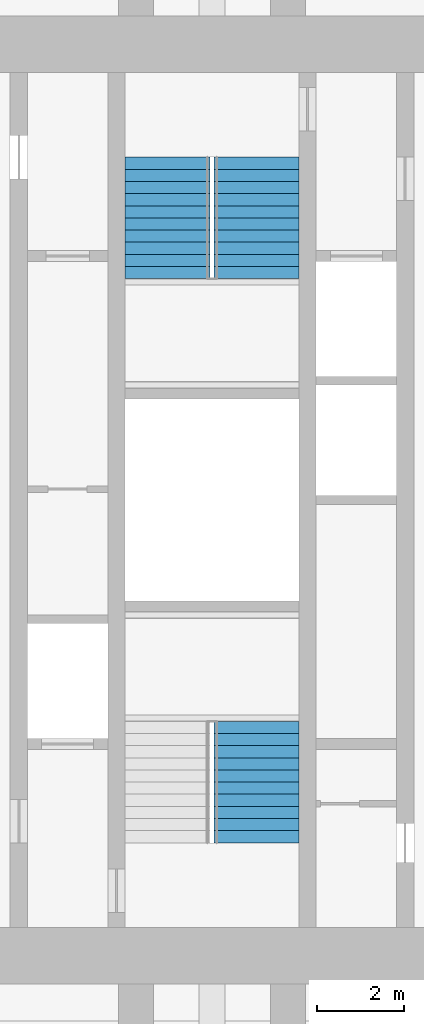
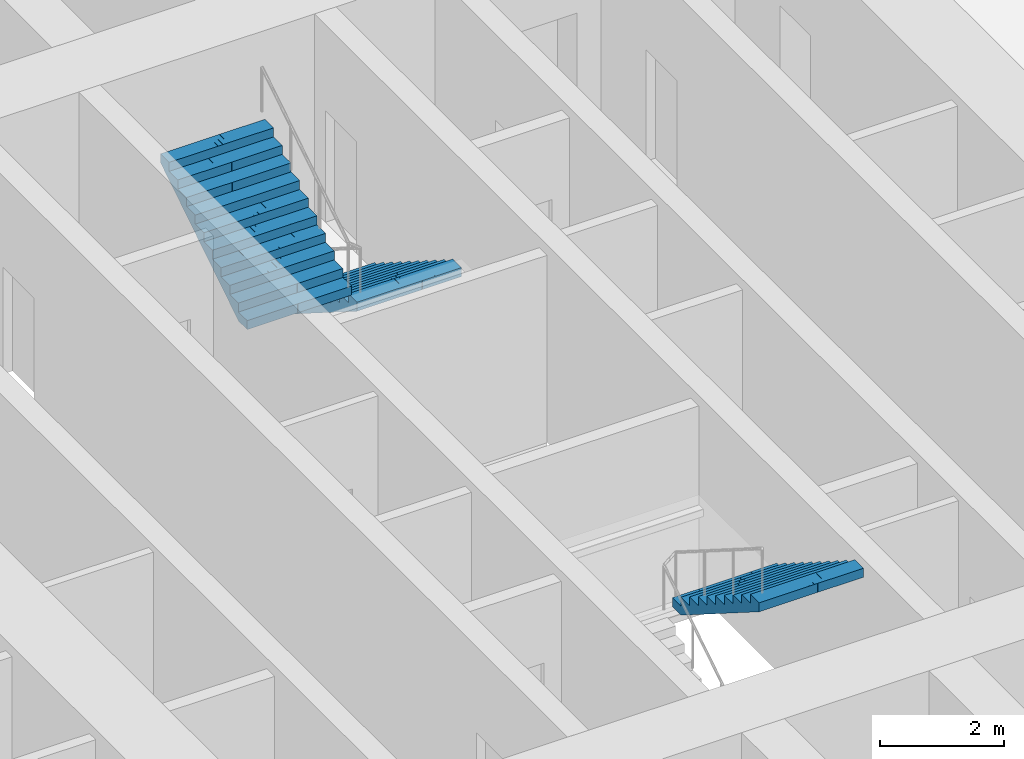
# One storey, part 16 of 17: 3 stair flights, 2 elements without a shape of their own.
"""IFC4 building model written with IfcOpenShell, lengths in metres."""

from ifc_helpers import new_model, si_unit, direction, frame, origin, place, context, subcontext, project, spatial, polyline, outline, extrude, material, type_object, element, aggregate, save


model = new_model("IFC4")

# Units and contexts
model_context = context("Model", 3, precision=1e-05, world=origin(), true_north=direction((0.0, 1.0)))
body_context = subcontext(model_context, "Body", "Model", "MODEL_VIEW")
ifc_project = project(units=[si_unit("LENGTHUNIT", "METRE"), si_unit("AREAUNIT", "SQUARE_METRE"), si_unit("VOLUMEUNIT", "CUBIC_METRE"), si_unit("PLANEANGLEUNIT", "RADIAN"), si_unit("MASSUNIT", "GRAM", prefix="KILO")], contexts=[model_context])

# Site, building, storey
site_placement = place(None, origin())
site = spatial("IfcSite", under=ifc_project, at=site_placement, CompositionType="ELEMENT")
building_placement = place(site_placement, origin())
building = spatial("IfcBuilding", under=site, at=building_placement, Name="Mizan Broadcast Tower", CompositionType="ELEMENT")
storey_placement = place(building_placement, frame((0.0, 0.0, 259.5)))
storey = spatial("IfcBuildingStorey", under=building, at=storey_placement, Name="L61", CompositionType="ELEMENT", Elevation=259.5)

# Stair, stair flight
ifc_material_1 = material(Name="Concrete C40/50", Category="concrete")
stair_type = type_object("IfcStairType", Name="EXIT STAIR", PredefinedType="HALF_TURN_STAIR", material=ifc_material_1)
stair_1_placement = place(storey_placement, origin())
stair_1 = element("IfcStair", 1, at=stair_1_placement, inside=storey, type_object=stair_type, Name="Stair A L61", PredefinedType="HALF_TURN_STAIR")
ifc_material_2 = material(Name="Concrete C40/50", Category="concrete")
stair_flight_type = type_object("IfcStairFlightType", Name="EXIT STAIR FLIGHT", PredefinedType="STRAIGHT", material=ifc_material_2)
stair_flight_1_placement = place(storey_placement, frame((1.02490234375, -5.10009765625, 1.949951171875), z_axis=(0.0, 0.0, 1.0), x_axis=(0.0, -1.0, 0.0)))
stair_flight_1 = element("IfcStairFlight", 2, at=stair_flight_1_placement, type_object=stair_flight_type, Name="A flight 2", NumberOfRisers=11, NumberOfTreads=10, PredefinedType="STRAIGHT", RiserHeight=0.177272727, TreadLength=0.28, context=body_context, shape_type="SweptSolid", body=[
    extrude(outline(polyline([(0.0, 0.0), (0.0, 0.17724609375), (0.280029296875, 0.17724609375), (0.280029296875, 0.3544921875), (0.56005859375, 0.3544921875), (0.56005859375, 0.53173828125), (0.840087890625, 0.53173828125), (0.840087890625, 0.708984375), (1.1201171875, 0.708984375), (1.1201171875, 0.886474609375), (1.39990234375, 0.886474609375), (1.39990234375, 1.063720703125), (1.679931640625, 1.063720703125), (1.679931640625, 1.240966796875), (1.9599609375, 1.240966796875), (1.9599609375, 1.418212890625), (2.239990234375, 1.418212890625), (2.239990234375, 1.595458984375), (2.52001953125, 1.595458984375), (2.52001953125, 1.772705078125), (2.800048828125, 1.772705078125), (2.800048828125, 1.949951171875), (2.800048828125, 1.59521484375), (0.2802734375, 0.0), (0.0, 0.0)])), frame((0.0, 0.97509765625, 0.0), z_axis=(0.0, -1.0, 0.0), x_axis=(1.0, 0.0, 0.0)), (0.0, 0.0, 1.0), 0.4873046875),
    extrude(outline(polyline([(0.0, 0.0), (0.0, 0.17724609375), (0.280029296875, 0.17724609375), (0.280029296875, 0.3544921875), (0.56005859375, 0.3544921875), (0.56005859375, 0.53173828125), (0.840087890625, 0.53173828125), (0.840087890625, 0.708984375), (1.1201171875, 0.708984375), (1.1201171875, 0.886474609375), (1.39990234375, 0.886474609375), (1.39990234375, 1.063720703125), (1.679931640625, 1.063720703125), (1.679931640625, 1.240966796875), (1.9599609375, 1.240966796875), (1.9599609375, 1.418212890625), (2.239990234375, 1.418212890625), (2.239990234375, 1.595458984375), (2.52001953125, 1.595458984375), (2.52001953125, 1.772705078125), (2.800048828125, 1.772705078125), (2.800048828125, 1.949951171875), (2.800048828125, 1.59521484375), (0.2802734375, 0.0), (0.0, 0.0)])), frame((0.0, 0.4873046875, 0.0), z_axis=(0.0, -1.0, 0.0), x_axis=(1.0, 0.0, 0.0)), (0.0, 0.0, 1.0), 0.2431640625),
    extrude(outline(polyline([(0.0, 0.0), (0.0, 0.17724609375), (0.280029296875, 0.17724609375), (0.280029296875, 0.3544921875), (0.56005859375, 0.3544921875), (0.56005859375, 0.53173828125), (0.840087890625, 0.53173828125), (0.840087890625, 0.708984375), (1.1201171875, 0.708984375), (1.1201171875, 0.886474609375), (1.39990234375, 0.886474609375), (1.39990234375, 1.063720703125), (1.679931640625, 1.063720703125), (1.679931640625, 1.240966796875), (1.9599609375, 1.240966796875), (1.9599609375, 1.418212890625), (2.239990234375, 1.418212890625), (2.239990234375, 1.595458984375), (2.52001953125, 1.595458984375), (2.52001953125, 1.772705078125), (2.800048828125, 1.772705078125), (2.800048828125, 1.949951171875), (2.800048828125, 1.59521484375), (0.2802734375, 0.0), (0.0, 0.0)])), frame((0.0, 0.24365234375, 0.0), z_axis=(0.0, -1.0, 0.0), x_axis=(1.0, 0.0, 0.0)), (0.0, 0.0, 1.0), 0.121337890625),
    extrude(outline(polyline([(0.0, 0.0), (0.0, 0.17724609375), (0.280029296875, 0.17724609375), (0.280029296875, 0.3544921875), (0.56005859375, 0.3544921875), (0.56005859375, 0.53173828125), (0.840087890625, 0.53173828125), (0.840087890625, 0.708984375), (1.1201171875, 0.708984375), (1.1201171875, 0.886474609375), (1.39990234375, 0.886474609375), (1.39990234375, 1.063720703125), (1.679931640625, 1.063720703125), (1.679931640625, 1.240966796875), (1.9599609375, 1.240966796875), (1.9599609375, 1.418212890625), (2.239990234375, 1.418212890625), (2.239990234375, 1.595458984375), (2.52001953125, 1.595458984375), (2.52001953125, 1.772705078125), (2.800048828125, 1.772705078125), (2.800048828125, 1.949951171875), (2.800048828125, 1.59521484375), (0.2802734375, 0.0), (0.0, 0.0)])), frame((0.0, 0.121826171875, 0.0), z_axis=(0.0, -1.0, 0.0), x_axis=(1.0, 0.0, 0.0)), (0.0, 0.0, 1.0), 0.060546875),
    extrude(outline(polyline([(0.0, 0.0), (0.0, 0.17724609375), (0.280029296875, 0.17724609375), (0.280029296875, 0.3544921875), (0.56005859375, 0.3544921875), (0.56005859375, 0.53173828125), (0.840087890625, 0.53173828125), (0.840087890625, 0.708984375), (1.1201171875, 0.708984375), (1.1201171875, 0.886474609375), (1.39990234375, 0.886474609375), (1.39990234375, 1.063720703125), (1.679931640625, 1.063720703125), (1.679931640625, 1.240966796875), (1.9599609375, 1.240966796875), (1.9599609375, 1.418212890625), (2.239990234375, 1.418212890625), (2.239990234375, 1.595458984375), (2.52001953125, 1.595458984375), (2.52001953125, 1.772705078125), (2.800048828125, 1.772705078125), (2.800048828125, 1.949951171875), (2.800048828125, 1.59521484375), (0.2802734375, 0.0), (0.0, 0.0)])), frame((0.0, 0.060791015625, 0.0), z_axis=(0.0, -1.0, 0.0), x_axis=(1.0, 0.0, 0.0)), (0.0, 0.0, 1.0), 0.030029296875),
    extrude(outline(polyline([(0.0, 0.0), (0.0, 0.17724609375), (0.280029296875, 0.17724609375), (0.280029296875, 0.3544921875), (0.56005859375, 0.3544921875), (0.56005859375, 0.53173828125), (0.840087890625, 0.53173828125), (0.840087890625, 0.708984375), (1.1201171875, 0.708984375), (1.1201171875, 0.886474609375), (1.39990234375, 0.886474609375), (1.39990234375, 1.063720703125), (1.679931640625, 1.063720703125), (1.679931640625, 1.240966796875), (1.9599609375, 1.240966796875), (1.9599609375, 1.418212890625), (2.239990234375, 1.418212890625), (2.239990234375, 1.595458984375), (2.52001953125, 1.595458984375), (2.52001953125, 1.772705078125), (2.800048828125, 1.772705078125), (2.800048828125, 1.949951171875), (2.800048828125, 1.59521484375), (0.2802734375, 0.0), (0.0, 0.0)])), frame((0.0, 0.0302734375, 0.0), z_axis=(0.0, -1.0, 0.0), x_axis=(1.0, 0.0, 0.0)), (0.0, 0.0, 1.0), 0.060302734375),
    extrude(outline(polyline([(0.0, 0.0), (0.0, 0.17724609375), (0.280029296875, 0.17724609375), (0.280029296875, 0.3544921875), (0.56005859375, 0.3544921875), (0.56005859375, 0.53173828125), (0.840087890625, 0.53173828125), (0.840087890625, 0.708984375), (1.1201171875, 0.708984375), (1.1201171875, 0.886474609375), (1.39990234375, 0.886474609375), (1.39990234375, 1.063720703125), (1.679931640625, 1.063720703125), (1.679931640625, 1.240966796875), (1.9599609375, 1.240966796875), (1.9599609375, 1.418212890625), (2.239990234375, 1.418212890625), (2.239990234375, 1.595458984375), (2.52001953125, 1.595458984375), (2.52001953125, 1.772705078125), (2.800048828125, 1.772705078125), (2.800048828125, 1.949951171875), (2.800048828125, 1.59521484375), (0.2802734375, 0.0), (0.0, 0.0)])), frame((0.0, -0.030517578125, 0.0), z_axis=(0.0, -1.0, 0.0), x_axis=(1.0, 0.0, 0.0)), (0.0, 0.0, 1.0), 0.030029296875),
    extrude(outline(polyline([(0.0, 0.0), (0.0, 0.17724609375), (0.280029296875, 0.17724609375), (0.280029296875, 0.3544921875), (0.56005859375, 0.3544921875), (0.56005859375, 0.53173828125), (0.840087890625, 0.53173828125), (0.840087890625, 0.708984375), (1.1201171875, 0.708984375), (1.1201171875, 0.886474609375), (1.39990234375, 0.886474609375), (1.39990234375, 1.063720703125), (1.679931640625, 1.063720703125), (1.679931640625, 1.240966796875), (1.9599609375, 1.240966796875), (1.9599609375, 1.418212890625), (2.239990234375, 1.418212890625), (2.239990234375, 1.595458984375), (2.52001953125, 1.595458984375), (2.52001953125, 1.772705078125), (2.800048828125, 1.772705078125), (2.800048828125, 1.949951171875), (2.800048828125, 1.59521484375), (0.2802734375, 0.0), (0.0, 0.0)])), frame((0.0, -0.06103515625, 0.0), z_axis=(0.0, -1.0, 0.0), x_axis=(1.0, 0.0, 0.0)), (0.0, 0.0, 1.0), 0.060546875),
    extrude(outline(polyline([(0.0, 0.0), (0.0, 0.17724609375), (0.280029296875, 0.17724609375), (0.280029296875, 0.3544921875), (0.56005859375, 0.3544921875), (0.56005859375, 0.53173828125), (0.840087890625, 0.53173828125), (0.840087890625, 0.708984375), (1.1201171875, 0.708984375), (1.1201171875, 0.886474609375), (1.39990234375, 0.886474609375), (1.39990234375, 1.063720703125), (1.679931640625, 1.063720703125), (1.679931640625, 1.240966796875), (1.9599609375, 1.240966796875), (1.9599609375, 1.418212890625), (2.239990234375, 1.418212890625), (2.239990234375, 1.595458984375), (2.52001953125, 1.595458984375), (2.52001953125, 1.772705078125), (2.800048828125, 1.772705078125), (2.800048828125, 1.949951171875), (2.800048828125, 1.59521484375), (0.2802734375, 0.0), (0.0, 0.0)])), frame((0.0, -0.1220703125, 0.0), z_axis=(0.0, -1.0, 0.0), x_axis=(1.0, 0.0, 0.0)), (0.0, 0.0, 1.0), 0.121337890625),
    extrude(outline(polyline([(0.0, 0.0), (0.0, 0.17724609375), (0.280029296875, 0.17724609375), (0.280029296875, 0.3544921875), (0.56005859375, 0.3544921875), (0.56005859375, 0.53173828125), (0.840087890625, 0.53173828125), (0.840087890625, 0.708984375), (1.1201171875, 0.708984375), (1.1201171875, 0.886474609375), (1.39990234375, 0.886474609375), (1.39990234375, 1.063720703125), (1.679931640625, 1.063720703125), (1.679931640625, 1.240966796875), (1.9599609375, 1.240966796875), (1.9599609375, 1.418212890625), (2.239990234375, 1.418212890625), (2.239990234375, 1.595458984375), (2.52001953125, 1.595458984375), (2.52001953125, 1.772705078125), (2.800048828125, 1.772705078125), (2.800048828125, 1.949951171875), (2.800048828125, 1.59521484375), (0.2802734375, 0.0), (0.0, 0.0)])), frame((0.0, -0.243896484375, 0.0), z_axis=(0.0, -1.0, 0.0), x_axis=(1.0, 0.0, 0.0)), (0.0, 0.0, 1.0), 0.2431640625),
    extrude(outline(polyline([(0.0, 0.0), (0.0, 0.17724609375), (0.280029296875, 0.17724609375), (0.280029296875, 0.3544921875), (0.56005859375, 0.3544921875), (0.56005859375, 0.53173828125), (0.840087890625, 0.53173828125), (0.840087890625, 0.708984375), (1.1201171875, 0.708984375), (1.1201171875, 0.886474609375), (1.39990234375, 0.886474609375), (1.39990234375, 1.063720703125), (1.679931640625, 1.063720703125), (1.679931640625, 1.240966796875), (1.9599609375, 1.240966796875), (1.9599609375, 1.418212890625), (2.239990234375, 1.418212890625), (2.239990234375, 1.595458984375), (2.52001953125, 1.595458984375), (2.52001953125, 1.772705078125), (2.800048828125, 1.772705078125), (2.800048828125, 1.949951171875), (2.800048828125, 1.59521484375), (0.2802734375, 0.0), (0.0, 0.0)])), frame((0.0, -0.487548828125, 0.0), z_axis=(0.0, -1.0, 0.0), x_axis=(1.0, 0.0, 0.0)), (0.0, 0.0, 1.0), 0.4873046875),
])
aggregate(stair_1, [stair_flight_1])

# Stair, stair flights
stair_2_placement = place(storey_placement, origin())
stair_2 = element("IfcStair", 3, at=stair_2_placement, inside=storey, type_object=stair_type, Name="Stair B L61", PredefinedType="HALF_TURN_STAIR")
stair_flight_2_placement = place(storey_placement, frame((1.02490234375, 7.89990234375, 0.0), z_axis=(0.0, 0.0, 1.0), x_axis=(0.0, -1.0, 0.0)))
stair_flight_2 = element("IfcStairFlight", 4, at=stair_flight_2_placement, type_object=stair_flight_type, Name="B flight 1", NumberOfRisers=11, NumberOfTreads=10, PredefinedType="STRAIGHT", RiserHeight=0.177272727, TreadLength=0.28, context=body_context, shape_type="SweptSolid", body=[
    extrude(outline(polyline([(0.0, 0.0), (0.0, 0.17724609375), (0.280029296875, 0.17724609375), (0.280029296875, 0.3544921875), (0.56005859375, 0.3544921875), (0.56005859375, 0.53173828125), (0.840087890625, 0.53173828125), (0.840087890625, 0.708984375), (1.1201171875, 0.708984375), (1.1201171875, 0.886474609375), (1.39990234375, 0.886474609375), (1.39990234375, 1.063720703125), (1.679931640625, 1.063720703125), (1.679931640625, 1.240966796875), (1.9599609375, 1.240966796875), (1.9599609375, 1.418212890625), (2.239990234375, 1.418212890625), (2.239990234375, 1.595458984375), (2.52001953125, 1.595458984375), (2.52001953125, 1.772705078125), (2.800048828125, 1.772705078125), (2.800048828125, 1.949951171875), (2.800048828125, 1.59521484375), (0.2802734375, 0.0), (0.0, 0.0)])), frame((0.0, 0.97509765625, 0.0), z_axis=(0.0, -1.0, 0.0), x_axis=(1.0, 0.0, 0.0)), (0.0, 0.0, 1.0), 0.4873046875),
    extrude(outline(polyline([(0.0, 0.0), (0.0, 0.17724609375), (0.280029296875, 0.17724609375), (0.280029296875, 0.3544921875), (0.56005859375, 0.3544921875), (0.56005859375, 0.53173828125), (0.840087890625, 0.53173828125), (0.840087890625, 0.708984375), (1.1201171875, 0.708984375), (1.1201171875, 0.886474609375), (1.39990234375, 0.886474609375), (1.39990234375, 1.063720703125), (1.679931640625, 1.063720703125), (1.679931640625, 1.240966796875), (1.9599609375, 1.240966796875), (1.9599609375, 1.418212890625), (2.239990234375, 1.418212890625), (2.239990234375, 1.595458984375), (2.52001953125, 1.595458984375), (2.52001953125, 1.772705078125), (2.800048828125, 1.772705078125), (2.800048828125, 1.949951171875), (2.800048828125, 1.59521484375), (0.2802734375, 0.0), (0.0, 0.0)])), frame((0.0, 0.4873046875, 0.0), z_axis=(0.0, -1.0, 0.0), x_axis=(1.0, 0.0, 0.0)), (0.0, 0.0, 1.0), 0.2431640625),
    extrude(outline(polyline([(0.0, 0.0), (0.0, 0.17724609375), (0.280029296875, 0.17724609375), (0.280029296875, 0.3544921875), (0.56005859375, 0.3544921875), (0.56005859375, 0.53173828125), (0.840087890625, 0.53173828125), (0.840087890625, 0.708984375), (1.1201171875, 0.708984375), (1.1201171875, 0.886474609375), (1.39990234375, 0.886474609375), (1.39990234375, 1.063720703125), (1.679931640625, 1.063720703125), (1.679931640625, 1.240966796875), (1.9599609375, 1.240966796875), (1.9599609375, 1.418212890625), (2.239990234375, 1.418212890625), (2.239990234375, 1.595458984375), (2.52001953125, 1.595458984375), (2.52001953125, 1.772705078125), (2.800048828125, 1.772705078125), (2.800048828125, 1.949951171875), (2.800048828125, 1.59521484375), (0.2802734375, 0.0), (0.0, 0.0)])), frame((0.0, 0.24365234375, 0.0), z_axis=(0.0, -1.0, 0.0), x_axis=(1.0, 0.0, 0.0)), (0.0, 0.0, 1.0), 0.121337890625),
    extrude(outline(polyline([(0.0, 0.0), (0.0, 0.17724609375), (0.280029296875, 0.17724609375), (0.280029296875, 0.3544921875), (0.56005859375, 0.3544921875), (0.56005859375, 0.53173828125), (0.840087890625, 0.53173828125), (0.840087890625, 0.708984375), (1.1201171875, 0.708984375), (1.1201171875, 0.886474609375), (1.39990234375, 0.886474609375), (1.39990234375, 1.063720703125), (1.679931640625, 1.063720703125), (1.679931640625, 1.240966796875), (1.9599609375, 1.240966796875), (1.9599609375, 1.418212890625), (2.239990234375, 1.418212890625), (2.239990234375, 1.595458984375), (2.52001953125, 1.595458984375), (2.52001953125, 1.772705078125), (2.800048828125, 1.772705078125), (2.800048828125, 1.949951171875), (2.800048828125, 1.59521484375), (0.2802734375, 0.0), (0.0, 0.0)])), frame((0.0, 0.121826171875, 0.0), z_axis=(0.0, -1.0, 0.0), x_axis=(1.0, 0.0, 0.0)), (0.0, 0.0, 1.0), 0.060546875),
    extrude(outline(polyline([(0.0, 0.0), (0.0, 0.17724609375), (0.280029296875, 0.17724609375), (0.280029296875, 0.3544921875), (0.56005859375, 0.3544921875), (0.56005859375, 0.53173828125), (0.840087890625, 0.53173828125), (0.840087890625, 0.708984375), (1.1201171875, 0.708984375), (1.1201171875, 0.886474609375), (1.39990234375, 0.886474609375), (1.39990234375, 1.063720703125), (1.679931640625, 1.063720703125), (1.679931640625, 1.240966796875), (1.9599609375, 1.240966796875), (1.9599609375, 1.418212890625), (2.239990234375, 1.418212890625), (2.239990234375, 1.595458984375), (2.52001953125, 1.595458984375), (2.52001953125, 1.772705078125), (2.800048828125, 1.772705078125), (2.800048828125, 1.949951171875), (2.800048828125, 1.59521484375), (0.2802734375, 0.0), (0.0, 0.0)])), frame((0.0, 0.060791015625, 0.0), z_axis=(0.0, -1.0, 0.0), x_axis=(1.0, 0.0, 0.0)), (0.0, 0.0, 1.0), 0.030029296875),
    extrude(outline(polyline([(0.0, 0.0), (0.0, 0.17724609375), (0.280029296875, 0.17724609375), (0.280029296875, 0.3544921875), (0.56005859375, 0.3544921875), (0.56005859375, 0.53173828125), (0.840087890625, 0.53173828125), (0.840087890625, 0.708984375), (1.1201171875, 0.708984375), (1.1201171875, 0.886474609375), (1.39990234375, 0.886474609375), (1.39990234375, 1.063720703125), (1.679931640625, 1.063720703125), (1.679931640625, 1.240966796875), (1.9599609375, 1.240966796875), (1.9599609375, 1.418212890625), (2.239990234375, 1.418212890625), (2.239990234375, 1.595458984375), (2.52001953125, 1.595458984375), (2.52001953125, 1.772705078125), (2.800048828125, 1.772705078125), (2.800048828125, 1.949951171875), (2.800048828125, 1.59521484375), (0.2802734375, 0.0), (0.0, 0.0)])), frame((0.0, 0.0302734375, 0.0), z_axis=(0.0, -1.0, 0.0), x_axis=(1.0, 0.0, 0.0)), (0.0, 0.0, 1.0), 0.060302734375),
    extrude(outline(polyline([(0.0, 0.0), (0.0, 0.17724609375), (0.280029296875, 0.17724609375), (0.280029296875, 0.3544921875), (0.56005859375, 0.3544921875), (0.56005859375, 0.53173828125), (0.840087890625, 0.53173828125), (0.840087890625, 0.708984375), (1.1201171875, 0.708984375), (1.1201171875, 0.886474609375), (1.39990234375, 0.886474609375), (1.39990234375, 1.063720703125), (1.679931640625, 1.063720703125), (1.679931640625, 1.240966796875), (1.9599609375, 1.240966796875), (1.9599609375, 1.418212890625), (2.239990234375, 1.418212890625), (2.239990234375, 1.595458984375), (2.52001953125, 1.595458984375), (2.52001953125, 1.772705078125), (2.800048828125, 1.772705078125), (2.800048828125, 1.949951171875), (2.800048828125, 1.59521484375), (0.2802734375, 0.0), (0.0, 0.0)])), frame((0.0, -0.030517578125, 0.0), z_axis=(0.0, -1.0, 0.0), x_axis=(1.0, 0.0, 0.0)), (0.0, 0.0, 1.0), 0.030029296875),
    extrude(outline(polyline([(0.0, 0.0), (0.0, 0.17724609375), (0.280029296875, 0.17724609375), (0.280029296875, 0.3544921875), (0.56005859375, 0.3544921875), (0.56005859375, 0.53173828125), (0.840087890625, 0.53173828125), (0.840087890625, 0.708984375), (1.1201171875, 0.708984375), (1.1201171875, 0.886474609375), (1.39990234375, 0.886474609375), (1.39990234375, 1.063720703125), (1.679931640625, 1.063720703125), (1.679931640625, 1.240966796875), (1.9599609375, 1.240966796875), (1.9599609375, 1.418212890625), (2.239990234375, 1.418212890625), (2.239990234375, 1.595458984375), (2.52001953125, 1.595458984375), (2.52001953125, 1.772705078125), (2.800048828125, 1.772705078125), (2.800048828125, 1.949951171875), (2.800048828125, 1.59521484375), (0.2802734375, 0.0), (0.0, 0.0)])), frame((0.0, -0.06103515625, 0.0), z_axis=(0.0, -1.0, 0.0), x_axis=(1.0, 0.0, 0.0)), (0.0, 0.0, 1.0), 0.060546875),
    extrude(outline(polyline([(0.0, 0.0), (0.0, 0.17724609375), (0.280029296875, 0.17724609375), (0.280029296875, 0.3544921875), (0.56005859375, 0.3544921875), (0.56005859375, 0.53173828125), (0.840087890625, 0.53173828125), (0.840087890625, 0.708984375), (1.1201171875, 0.708984375), (1.1201171875, 0.886474609375), (1.39990234375, 0.886474609375), (1.39990234375, 1.063720703125), (1.679931640625, 1.063720703125), (1.679931640625, 1.240966796875), (1.9599609375, 1.240966796875), (1.9599609375, 1.418212890625), (2.239990234375, 1.418212890625), (2.239990234375, 1.595458984375), (2.52001953125, 1.595458984375), (2.52001953125, 1.772705078125), (2.800048828125, 1.772705078125), (2.800048828125, 1.949951171875), (2.800048828125, 1.59521484375), (0.2802734375, 0.0), (0.0, 0.0)])), frame((0.0, -0.1220703125, 0.0), z_axis=(0.0, -1.0, 0.0), x_axis=(1.0, 0.0, 0.0)), (0.0, 0.0, 1.0), 0.121337890625),
    extrude(outline(polyline([(0.0, 0.0), (0.0, 0.17724609375), (0.280029296875, 0.17724609375), (0.280029296875, 0.3544921875), (0.56005859375, 0.3544921875), (0.56005859375, 0.53173828125), (0.840087890625, 0.53173828125), (0.840087890625, 0.708984375), (1.1201171875, 0.708984375), (1.1201171875, 0.886474609375), (1.39990234375, 0.886474609375), (1.39990234375, 1.063720703125), (1.679931640625, 1.063720703125), (1.679931640625, 1.240966796875), (1.9599609375, 1.240966796875), (1.9599609375, 1.418212890625), (2.239990234375, 1.418212890625), (2.239990234375, 1.595458984375), (2.52001953125, 1.595458984375), (2.52001953125, 1.772705078125), (2.800048828125, 1.772705078125), (2.800048828125, 1.949951171875), (2.800048828125, 1.59521484375), (0.2802734375, 0.0), (0.0, 0.0)])), frame((0.0, -0.243896484375, 0.0), z_axis=(0.0, -1.0, 0.0), x_axis=(1.0, 0.0, 0.0)), (0.0, 0.0, 1.0), 0.2431640625),
    extrude(outline(polyline([(0.0, 0.0), (0.0, 0.17724609375), (0.280029296875, 0.17724609375), (0.280029296875, 0.3544921875), (0.56005859375, 0.3544921875), (0.56005859375, 0.53173828125), (0.840087890625, 0.53173828125), (0.840087890625, 0.708984375), (1.1201171875, 0.708984375), (1.1201171875, 0.886474609375), (1.39990234375, 0.886474609375), (1.39990234375, 1.063720703125), (1.679931640625, 1.063720703125), (1.679931640625, 1.240966796875), (1.9599609375, 1.240966796875), (1.9599609375, 1.418212890625), (2.239990234375, 1.418212890625), (2.239990234375, 1.595458984375), (2.52001953125, 1.595458984375), (2.52001953125, 1.772705078125), (2.800048828125, 1.772705078125), (2.800048828125, 1.949951171875), (2.800048828125, 1.59521484375), (0.2802734375, 0.0), (0.0, 0.0)])), frame((0.0, -0.487548828125, 0.0), z_axis=(0.0, -1.0, 0.0), x_axis=(1.0, 0.0, 0.0)), (0.0, 0.0, 1.0), 0.4873046875),
])
stair_flight_3_placement = place(storey_placement, frame((-1.02490234375, 5.10009765625, 1.949951171875), z_axis=(0.0, 0.0, 1.0), x_axis=(0.0, 1.0, 0.0)))
stair_flight_3 = element("IfcStairFlight", 5, at=stair_flight_3_placement, type_object=stair_flight_type, Name="B flight 2", NumberOfRisers=11, NumberOfTreads=10, PredefinedType="STRAIGHT", RiserHeight=0.177272727, TreadLength=0.28, context=body_context, shape_type="SweptSolid", body=[
    extrude(outline(polyline([(0.0, 0.0), (0.0, 0.17724609375), (0.280029296875, 0.17724609375), (0.280029296875, 0.3544921875), (0.56005859375, 0.3544921875), (0.56005859375, 0.53173828125), (0.840087890625, 0.53173828125), (0.840087890625, 0.708984375), (1.1201171875, 0.708984375), (1.1201171875, 0.886474609375), (1.39990234375, 0.886474609375), (1.39990234375, 1.063720703125), (1.679931640625, 1.063720703125), (1.679931640625, 1.240966796875), (1.9599609375, 1.240966796875), (1.9599609375, 1.418212890625), (2.239990234375, 1.418212890625), (2.239990234375, 1.595458984375), (2.52001953125, 1.595458984375), (2.52001953125, 1.772705078125), (2.800048828125, 1.772705078125), (2.800048828125, 1.949951171875), (2.800048828125, 1.59521484375), (0.2802734375, 0.0), (0.0, 0.0)])), frame((0.0, 0.97509765625, 0.0), z_axis=(0.0, -1.0, 0.0), x_axis=(1.0, 0.0, 0.0)), (0.0, 0.0, 1.0), 0.4873046875),
    extrude(outline(polyline([(0.0, 0.0), (0.0, 0.17724609375), (0.280029296875, 0.17724609375), (0.280029296875, 0.3544921875), (0.56005859375, 0.3544921875), (0.56005859375, 0.53173828125), (0.840087890625, 0.53173828125), (0.840087890625, 0.708984375), (1.1201171875, 0.708984375), (1.1201171875, 0.886474609375), (1.39990234375, 0.886474609375), (1.39990234375, 1.063720703125), (1.679931640625, 1.063720703125), (1.679931640625, 1.240966796875), (1.9599609375, 1.240966796875), (1.9599609375, 1.418212890625), (2.239990234375, 1.418212890625), (2.239990234375, 1.595458984375), (2.52001953125, 1.595458984375), (2.52001953125, 1.772705078125), (2.800048828125, 1.772705078125), (2.800048828125, 1.949951171875), (2.800048828125, 1.59521484375), (0.2802734375, 0.0), (0.0, 0.0)])), frame((0.0, 0.4873046875, 0.0), z_axis=(0.0, -1.0, 0.0), x_axis=(1.0, 0.0, 0.0)), (0.0, 0.0, 1.0), 0.2431640625),
    extrude(outline(polyline([(0.0, 0.0), (0.0, 0.17724609375), (0.280029296875, 0.17724609375), (0.280029296875, 0.3544921875), (0.56005859375, 0.3544921875), (0.56005859375, 0.53173828125), (0.840087890625, 0.53173828125), (0.840087890625, 0.708984375), (1.1201171875, 0.708984375), (1.1201171875, 0.886474609375), (1.39990234375, 0.886474609375), (1.39990234375, 1.063720703125), (1.679931640625, 1.063720703125), (1.679931640625, 1.240966796875), (1.9599609375, 1.240966796875), (1.9599609375, 1.418212890625), (2.239990234375, 1.418212890625), (2.239990234375, 1.595458984375), (2.52001953125, 1.595458984375), (2.52001953125, 1.772705078125), (2.800048828125, 1.772705078125), (2.800048828125, 1.949951171875), (2.800048828125, 1.59521484375), (0.2802734375, 0.0), (0.0, 0.0)])), frame((0.0, 0.24365234375, 0.0), z_axis=(0.0, -1.0, 0.0), x_axis=(1.0, 0.0, 0.0)), (0.0, 0.0, 1.0), 0.121337890625),
    extrude(outline(polyline([(0.0, 0.0), (0.0, 0.17724609375), (0.280029296875, 0.17724609375), (0.280029296875, 0.3544921875), (0.56005859375, 0.3544921875), (0.56005859375, 0.53173828125), (0.840087890625, 0.53173828125), (0.840087890625, 0.708984375), (1.1201171875, 0.708984375), (1.1201171875, 0.886474609375), (1.39990234375, 0.886474609375), (1.39990234375, 1.063720703125), (1.679931640625, 1.063720703125), (1.679931640625, 1.240966796875), (1.9599609375, 1.240966796875), (1.9599609375, 1.418212890625), (2.239990234375, 1.418212890625), (2.239990234375, 1.595458984375), (2.52001953125, 1.595458984375), (2.52001953125, 1.772705078125), (2.800048828125, 1.772705078125), (2.800048828125, 1.949951171875), (2.800048828125, 1.59521484375), (0.2802734375, 0.0), (0.0, 0.0)])), frame((0.0, 0.121826171875, 0.0), z_axis=(0.0, -1.0, 0.0), x_axis=(1.0, 0.0, 0.0)), (0.0, 0.0, 1.0), 0.060546875),
    extrude(outline(polyline([(0.0, 0.0), (0.0, 0.17724609375), (0.280029296875, 0.17724609375), (0.280029296875, 0.3544921875), (0.56005859375, 0.3544921875), (0.56005859375, 0.53173828125), (0.840087890625, 0.53173828125), (0.840087890625, 0.708984375), (1.1201171875, 0.708984375), (1.1201171875, 0.886474609375), (1.39990234375, 0.886474609375), (1.39990234375, 1.063720703125), (1.679931640625, 1.063720703125), (1.679931640625, 1.240966796875), (1.9599609375, 1.240966796875), (1.9599609375, 1.418212890625), (2.239990234375, 1.418212890625), (2.239990234375, 1.595458984375), (2.52001953125, 1.595458984375), (2.52001953125, 1.772705078125), (2.800048828125, 1.772705078125), (2.800048828125, 1.949951171875), (2.800048828125, 1.59521484375), (0.2802734375, 0.0), (0.0, 0.0)])), frame((0.0, 0.060791015625, 0.0), z_axis=(0.0, -1.0, 0.0), x_axis=(1.0, 0.0, 0.0)), (0.0, 0.0, 1.0), 0.030029296875),
    extrude(outline(polyline([(0.0, 0.0), (0.0, 0.17724609375), (0.280029296875, 0.17724609375), (0.280029296875, 0.3544921875), (0.56005859375, 0.3544921875), (0.56005859375, 0.53173828125), (0.840087890625, 0.53173828125), (0.840087890625, 0.708984375), (1.1201171875, 0.708984375), (1.1201171875, 0.886474609375), (1.39990234375, 0.886474609375), (1.39990234375, 1.063720703125), (1.679931640625, 1.063720703125), (1.679931640625, 1.240966796875), (1.9599609375, 1.240966796875), (1.9599609375, 1.418212890625), (2.239990234375, 1.418212890625), (2.239990234375, 1.595458984375), (2.52001953125, 1.595458984375), (2.52001953125, 1.772705078125), (2.800048828125, 1.772705078125), (2.800048828125, 1.949951171875), (2.800048828125, 1.59521484375), (0.2802734375, 0.0), (0.0, 0.0)])), frame((0.0, 0.0302734375, 0.0), z_axis=(0.0, -1.0, 0.0), x_axis=(1.0, 0.0, 0.0)), (0.0, 0.0, 1.0), 0.060302734375),
    extrude(outline(polyline([(0.0, 0.0), (0.0, 0.17724609375), (0.280029296875, 0.17724609375), (0.280029296875, 0.3544921875), (0.56005859375, 0.3544921875), (0.56005859375, 0.53173828125), (0.840087890625, 0.53173828125), (0.840087890625, 0.708984375), (1.1201171875, 0.708984375), (1.1201171875, 0.886474609375), (1.39990234375, 0.886474609375), (1.39990234375, 1.063720703125), (1.679931640625, 1.063720703125), (1.679931640625, 1.240966796875), (1.9599609375, 1.240966796875), (1.9599609375, 1.418212890625), (2.239990234375, 1.418212890625), (2.239990234375, 1.595458984375), (2.52001953125, 1.595458984375), (2.52001953125, 1.772705078125), (2.800048828125, 1.772705078125), (2.800048828125, 1.949951171875), (2.800048828125, 1.59521484375), (0.2802734375, 0.0), (0.0, 0.0)])), frame((0.0, -0.030517578125, 0.0), z_axis=(0.0, -1.0, 0.0), x_axis=(1.0, 0.0, 0.0)), (0.0, 0.0, 1.0), 0.030029296875),
    extrude(outline(polyline([(0.0, 0.0), (0.0, 0.17724609375), (0.280029296875, 0.17724609375), (0.280029296875, 0.3544921875), (0.56005859375, 0.3544921875), (0.56005859375, 0.53173828125), (0.840087890625, 0.53173828125), (0.840087890625, 0.708984375), (1.1201171875, 0.708984375), (1.1201171875, 0.886474609375), (1.39990234375, 0.886474609375), (1.39990234375, 1.063720703125), (1.679931640625, 1.063720703125), (1.679931640625, 1.240966796875), (1.9599609375, 1.240966796875), (1.9599609375, 1.418212890625), (2.239990234375, 1.418212890625), (2.239990234375, 1.595458984375), (2.52001953125, 1.595458984375), (2.52001953125, 1.772705078125), (2.800048828125, 1.772705078125), (2.800048828125, 1.949951171875), (2.800048828125, 1.59521484375), (0.2802734375, 0.0), (0.0, 0.0)])), frame((0.0, -0.06103515625, 0.0), z_axis=(0.0, -1.0, 0.0), x_axis=(1.0, 0.0, 0.0)), (0.0, 0.0, 1.0), 0.060546875),
    extrude(outline(polyline([(0.0, 0.0), (0.0, 0.17724609375), (0.280029296875, 0.17724609375), (0.280029296875, 0.3544921875), (0.56005859375, 0.3544921875), (0.56005859375, 0.53173828125), (0.840087890625, 0.53173828125), (0.840087890625, 0.708984375), (1.1201171875, 0.708984375), (1.1201171875, 0.886474609375), (1.39990234375, 0.886474609375), (1.39990234375, 1.063720703125), (1.679931640625, 1.063720703125), (1.679931640625, 1.240966796875), (1.9599609375, 1.240966796875), (1.9599609375, 1.418212890625), (2.239990234375, 1.418212890625), (2.239990234375, 1.595458984375), (2.52001953125, 1.595458984375), (2.52001953125, 1.772705078125), (2.800048828125, 1.772705078125), (2.800048828125, 1.949951171875), (2.800048828125, 1.59521484375), (0.2802734375, 0.0), (0.0, 0.0)])), frame((0.0, -0.1220703125, 0.0), z_axis=(0.0, -1.0, 0.0), x_axis=(1.0, 0.0, 0.0)), (0.0, 0.0, 1.0), 0.121337890625),
    extrude(outline(polyline([(0.0, 0.0), (0.0, 0.17724609375), (0.280029296875, 0.17724609375), (0.280029296875, 0.3544921875), (0.56005859375, 0.3544921875), (0.56005859375, 0.53173828125), (0.840087890625, 0.53173828125), (0.840087890625, 0.708984375), (1.1201171875, 0.708984375), (1.1201171875, 0.886474609375), (1.39990234375, 0.886474609375), (1.39990234375, 1.063720703125), (1.679931640625, 1.063720703125), (1.679931640625, 1.240966796875), (1.9599609375, 1.240966796875), (1.9599609375, 1.418212890625), (2.239990234375, 1.418212890625), (2.239990234375, 1.595458984375), (2.52001953125, 1.595458984375), (2.52001953125, 1.772705078125), (2.800048828125, 1.772705078125), (2.800048828125, 1.949951171875), (2.800048828125, 1.59521484375), (0.2802734375, 0.0), (0.0, 0.0)])), frame((0.0, -0.243896484375, 0.0), z_axis=(0.0, -1.0, 0.0), x_axis=(1.0, 0.0, 0.0)), (0.0, 0.0, 1.0), 0.2431640625),
    extrude(outline(polyline([(0.0, 0.0), (0.0, 0.17724609375), (0.280029296875, 0.17724609375), (0.280029296875, 0.3544921875), (0.56005859375, 0.3544921875), (0.56005859375, 0.53173828125), (0.840087890625, 0.53173828125), (0.840087890625, 0.708984375), (1.1201171875, 0.708984375), (1.1201171875, 0.886474609375), (1.39990234375, 0.886474609375), (1.39990234375, 1.063720703125), (1.679931640625, 1.063720703125), (1.679931640625, 1.240966796875), (1.9599609375, 1.240966796875), (1.9599609375, 1.418212890625), (2.239990234375, 1.418212890625), (2.239990234375, 1.595458984375), (2.52001953125, 1.595458984375), (2.52001953125, 1.772705078125), (2.800048828125, 1.772705078125), (2.800048828125, 1.949951171875), (2.800048828125, 1.59521484375), (0.2802734375, 0.0), (0.0, 0.0)])), frame((0.0, -0.487548828125, 0.0), z_axis=(0.0, -1.0, 0.0), x_axis=(1.0, 0.0, 0.0)), (0.0, 0.0, 1.0), 0.4873046875),
])
aggregate(stair_2, [stair_flight_2, stair_flight_3])

save(model, "model.ifc")
